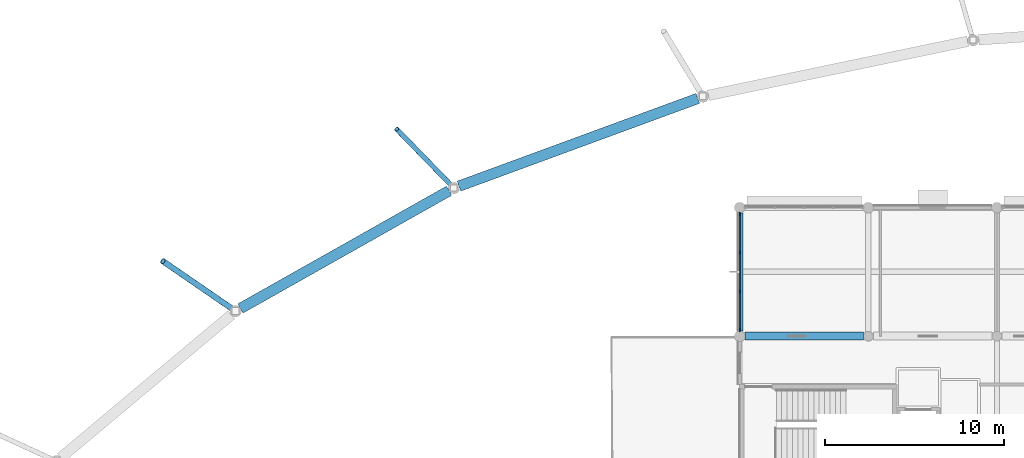
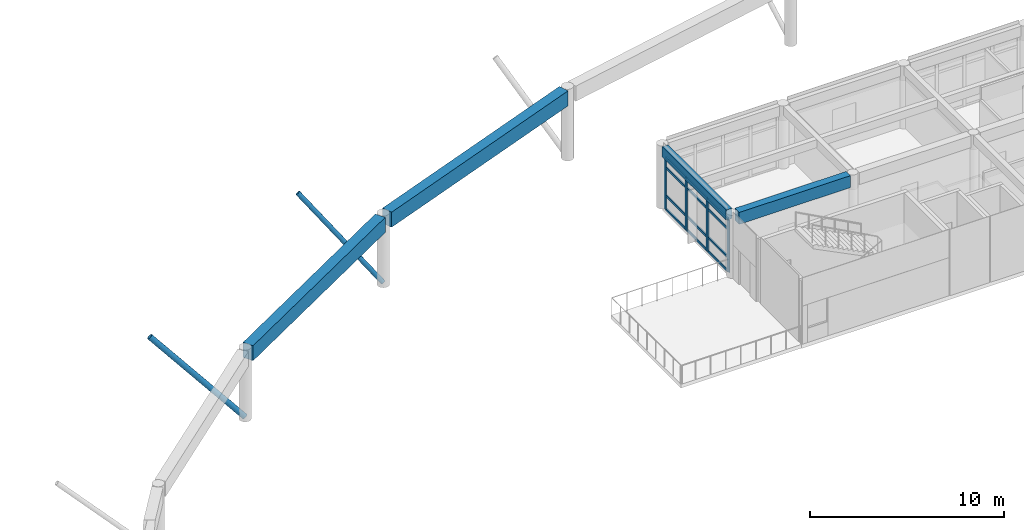
# One storey, part 5 of 37: 18 members, 4 beams, 1 element without a shape of its own.
"""IFC4 building model written with IfcOpenShell, lengths in metres."""

from ifc_helpers import new_model, si_unit, direction, frame, origin, origin_2d, place, context, subcontext, project, spatial, rectangle, hollow_circle, extrude, material, layer, layer_set, material_profile, profile_set, type_object, element, aggregate, save


model = new_model("IFC4")

# Units and contexts
model_context = context("Model", 3, precision=1e-05, world=origin(), true_north=direction((0.0, 1.0)))
body_context = subcontext(model_context, "Body", "Model", "MODEL_VIEW")
ifc_project = project(units=[si_unit("LENGTHUNIT", "METRE"), si_unit("AREAUNIT", "SQUARE_METRE"), si_unit("VOLUMEUNIT", "CUBIC_METRE"), si_unit("PLANEANGLEUNIT", "RADIAN"), si_unit("MASSUNIT", "GRAM", prefix="KILO")], contexts=[model_context])

# Site, building, storey
site_placement = place(None, origin())
site = spatial("IfcSite", under=ifc_project, at=site_placement, CompositionType="ELEMENT")
building_placement = place(site_placement, origin())
building = spatial("IfcBuilding", under=site, at=building_placement, Name="Namkhue Oval Health Centre", CompositionType="ELEMENT")
storey_placement = place(building_placement, frame((0.0, 0.0, 22.199951171875)))
storey = spatial("IfcBuildingStorey", under=building, at=storey_placement, Name="L05", CompositionType="ELEMENT", Elevation=22.199951171875)

# Members
ifc_material_1 = material(Name="Structural steel EN 10025-2 S355JR (TCVN 5575:2024)", Category="steel")
ifc_material_profile_1 = material_profile(ifc_material_1, hollow_circle(Radius=0.136474609375, WallThickness=0.012451171875, at=origin_2d()), Name="CHS 273x12.5")
ifc_profile_set_1 = profile_set([ifc_material_profile_1], Name="Structural steel EN 10025-2 S355JR (TCVN 5575:2024)")
member_type_1 = type_object("IfcMemberType", Name="CANOPY STRUT CHS 273", PredefinedType="STRUT", material=ifc_profile_set_1)
member_1_placement = place(storey_placement, frame((41.589111328125, 105.506591796875, 0.114501953125), z_axis=(-0.482810025098, 0.496775604336, 0.721185467547), x_axis=(-0.717114859739, -0.696955004244, 0.0)))
element("IfcMember", 1, at=member_1_placement, inside=storey, type_object=member_type_1, Name="Outer Overhang Tree-Branch Canopy Strut 12", PredefinedType="STRUT", context=body_context, shape_type="SweptSolid", body=[
    extrude(hollow_circle(Radius=0.136474609375, WallThickness=0.012451171875, at=origin_2d()), origin(), (0.0, 0.0, 1.0), 6.608154296875),
])
ifc_material_profile_2 = material_profile(ifc_material_1, hollow_circle(Radius=0.161865234375, WallThickness=0.012451171875, at=origin_2d()), Name="CHS 323.9x12.5")
ifc_profile_set_2 = profile_set([ifc_material_profile_2], Name="Structural steel EN 10025-2 S355JR (TCVN 5575:2024)")
member_type_2 = type_object("IfcMemberType", Name="CANOPY STRUT CHS 324", PredefinedType="STRUT", material=ifc_profile_set_2)
member_2_placement = place(storey_placement, frame((29.3671875, 98.610107421875, 0.114013671875), z_axis=(-0.59236667403, 0.407232057963, 0.695171758967), x_axis=(-0.566509901284, -0.824054932482, 0.0)))
element("IfcMember", 2, at=member_2_placement, inside=storey, type_object=member_type_2, Name="Outer Overhang Tree-Branch Canopy Strut 13", PredefinedType="STRUT", context=body_context, shape_type="SweptSolid", body=[
    extrude(hollow_circle(Radius=0.161865234375, WallThickness=0.012451171875, at=origin_2d()), origin(), (0.0, 0.0, 1.0), 6.85595703125),
])

# Curtain wall, members
ifc_material_2 = material(Name="Anodised aluminium EN AW-6063 T6", Category="aluminium")
ifc_layer = layer(ifc_material_2, 0.159912109375)
ifc_layer_set = layer_set([ifc_layer], Name="Anodised aluminium EN AW-6063 T6")
curtain_wall_type = type_object("IfcCurtainWallType", Name="UNITISED CURTAIN WALL M2000", PredefinedType="NOTDEFINED", material=ifc_layer_set)
curtain_wall_placement = place(storey_placement, origin())
curtain_wall = element("IfcCurtainWall", 3, at=curtain_wall_placement, inside=storey, type_object=curtain_wall_type, Name="Volume V2 L05 Unitised Curtain Wall 90", PredefinedType="NOTDEFINED")
ifc_material_profile_3 = material_profile(ifc_material_2, rectangle(XDim=0.074951171875, YDim=0.199951171875, at=origin_2d()), Name="ALU 75x200")
ifc_profile_set_3 = profile_set([ifc_material_profile_3], Name="Anodised aluminium EN AW-6063 T6")
member_type_3 = type_object("IfcMemberType", Name="CURTAIN WALL MULLION 75X200", PredefinedType="MULLION", material=ifc_profile_set_3)
member_3_placement = place(storey_placement, frame((57.60009765625, 104.052490234375, 0.0), z_axis=(0.0, 0.0, 1.0), x_axis=(1.0, 0.0, 0.0)))
member_3 = element("IfcMember", 4, at=member_3_placement, type_object=member_type_3, Name="CW-06 mullion 1", PredefinedType="MULLION", context=body_context, shape_type="SweptSolid", body=[
    extrude(rectangle(XDim=0.074951171875, YDim=0.199951171875, at=origin_2d()), origin(), (0.0, 0.0, 1.0), 3.324951171875),
])
member_4_placement = place(storey_placement, frame((57.60009765625, 101.896728515625, 0.0), z_axis=(0.0, 0.0, 1.0), x_axis=(1.0, 0.0, 0.0)))
member_4 = element("IfcMember", 5, at=member_4_placement, type_object=member_type_3, Name="CW-06 mullion 2", PredefinedType="MULLION", context=body_context, shape_type="SweptSolid", body=[
    extrude(rectangle(XDim=0.074951171875, YDim=0.199951171875, at=origin_2d()), origin(), (0.0, 0.0, 1.0), 3.324951171875),
])
member_5_placement = place(storey_placement, frame((57.60009765625, 99.703369140625, 0.0), z_axis=(0.0, 0.0, 1.0), x_axis=(1.0, 0.0, 0.0)))
member_5 = element("IfcMember", 6, at=member_5_placement, type_object=member_type_3, Name="CW-06 mullion 3", PredefinedType="MULLION", context=body_context, shape_type="SweptSolid", body=[
    extrude(rectangle(XDim=0.074951171875, YDim=0.199951171875, at=origin_2d()), origin(), (0.0, 0.0, 1.0), 3.324951171875),
])
member_6_placement = place(storey_placement, frame((57.60009765625, 97.547607421875, 0.0), z_axis=(0.0, 0.0, 1.0), x_axis=(1.0, 0.0, 0.0)))
member_6 = element("IfcMember", 7, at=member_6_placement, type_object=member_type_3, Name="CW-06 mullion 4", PredefinedType="MULLION", context=body_context, shape_type="SweptSolid", body=[
    extrude(rectangle(XDim=0.074951171875, YDim=0.199951171875, at=origin_2d()), origin(), (0.0, 0.0, 1.0), 3.324951171875),
])
ifc_material_profile_4 = material_profile(ifc_material_2, rectangle(XDim=0.074951171875, YDim=0.14990234375, at=origin_2d()), Name="ALU 75x150")
ifc_profile_set_4 = profile_set([ifc_material_profile_4], Name="Anodised aluminium EN AW-6063 T6")
member_type_4 = type_object("IfcMemberType", Name="CURTAIN WALL TRANSOM 75X150", PredefinedType="USERDEFINED", material=ifc_profile_set_4)
member_7_placement = place(storey_placement, frame((57.60009765625, 104.014892578125, 0.03759765625), z_axis=(0.0, -1.0, 0.0), x_axis=(1.0, 0.0, 0.0)))
member_7 = element("IfcMember", 8, at=member_7_placement, type_object=member_type_4, Name="CW-06 transom 1.1", ObjectType="TRANSOM", PredefinedType="USERDEFINED", context=body_context, shape_type="SweptSolid", body=[
    extrude(rectangle(XDim=0.074951171875, YDim=0.14990234375, at=origin_2d()), origin(), (0.0, 0.0, 1.0), 2.080810546875),
])
member_8_placement = place(storey_placement, frame((57.60009765625, 104.014892578125, 0.900146484375), z_axis=(0.0, -1.0, 0.0), x_axis=(1.0, 0.0, 0.0)))
member_8 = element("IfcMember", 9, at=member_8_placement, type_object=member_type_4, Name="CW-06 transom 1.2", ObjectType="TRANSOM", PredefinedType="USERDEFINED", context=body_context, shape_type="SweptSolid", body=[
    extrude(rectangle(XDim=0.074951171875, YDim=0.14990234375, at=origin_2d()), origin(), (0.0, 0.0, 1.0), 2.080810546875),
])
member_9_placement = place(storey_placement, frame((57.60009765625, 104.014892578125, 2.675048828125), z_axis=(0.0, -1.0, 0.0), x_axis=(1.0, 0.0, 0.0)))
member_9 = element("IfcMember", 10, at=member_9_placement, type_object=member_type_4, Name="CW-06 transom 1.3", ObjectType="TRANSOM", PredefinedType="USERDEFINED", context=body_context, shape_type="SweptSolid", body=[
    extrude(rectangle(XDim=0.074951171875, YDim=0.14990234375, at=origin_2d()), origin(), (0.0, 0.0, 1.0), 2.080810546875),
])
member_10_placement = place(storey_placement, frame((57.60009765625, 104.014892578125, 3.28759765625), z_axis=(0.0, -1.0, 0.0), x_axis=(1.0, 0.0, 0.0)))
member_10 = element("IfcMember", 11, at=member_10_placement, type_object=member_type_4, Name="CW-06 transom 1.4", ObjectType="TRANSOM", PredefinedType="USERDEFINED", context=body_context, shape_type="SweptSolid", body=[
    extrude(rectangle(XDim=0.074951171875, YDim=0.14990234375, at=origin_2d()), origin(), (0.0, 0.0, 1.0), 2.080810546875),
])
member_11_placement = place(storey_placement, frame((57.60009765625, 101.859130859375, 0.03759765625), z_axis=(0.0, -1.0, 0.0), x_axis=(1.0, 0.0, 0.0)))
member_11 = element("IfcMember", 12, at=member_11_placement, type_object=member_type_4, Name="CW-06 transom 2.1", ObjectType="TRANSOM", PredefinedType="USERDEFINED", context=body_context, shape_type="SweptSolid", body=[
    extrude(rectangle(XDim=0.074951171875, YDim=0.14990234375, at=origin_2d()), origin(), (0.0, 0.0, 1.0), 2.118408203125),
])
member_12_placement = place(storey_placement, frame((57.60009765625, 101.859130859375, 0.900146484375), z_axis=(0.0, -1.0, 0.0), x_axis=(1.0, 0.0, 0.0)))
member_12 = element("IfcMember", 13, at=member_12_placement, type_object=member_type_4, Name="CW-06 transom 2.2", ObjectType="TRANSOM", PredefinedType="USERDEFINED", context=body_context, shape_type="SweptSolid", body=[
    extrude(rectangle(XDim=0.074951171875, YDim=0.14990234375, at=origin_2d()), origin(), (0.0, 0.0, 1.0), 2.118408203125),
])
member_13_placement = place(storey_placement, frame((57.60009765625, 101.859130859375, 2.675048828125), z_axis=(0.0, -1.0, 0.0), x_axis=(1.0, 0.0, 0.0)))
member_13 = element("IfcMember", 14, at=member_13_placement, type_object=member_type_4, Name="CW-06 transom 2.3", ObjectType="TRANSOM", PredefinedType="USERDEFINED", context=body_context, shape_type="SweptSolid", body=[
    extrude(rectangle(XDim=0.074951171875, YDim=0.14990234375, at=origin_2d()), origin(), (0.0, 0.0, 1.0), 2.118408203125),
])
member_14_placement = place(storey_placement, frame((57.60009765625, 101.859130859375, 3.28759765625), z_axis=(0.0, -1.0, 0.0), x_axis=(1.0, 0.0, 0.0)))
member_14 = element("IfcMember", 15, at=member_14_placement, type_object=member_type_4, Name="CW-06 transom 2.4", ObjectType="TRANSOM", PredefinedType="USERDEFINED", context=body_context, shape_type="SweptSolid", body=[
    extrude(rectangle(XDim=0.074951171875, YDim=0.14990234375, at=origin_2d()), origin(), (0.0, 0.0, 1.0), 2.118408203125),
])
member_15_placement = place(storey_placement, frame((57.60009765625, 99.665771484375, 0.03759765625), z_axis=(0.0, -1.0, 0.0), x_axis=(1.0, 0.0, 0.0)))
member_15 = element("IfcMember", 16, at=member_15_placement, type_object=member_type_4, Name="CW-06 transom 3.1", ObjectType="TRANSOM", PredefinedType="USERDEFINED", context=body_context, shape_type="SweptSolid", body=[
    extrude(rectangle(XDim=0.074951171875, YDim=0.14990234375, at=origin_2d()), origin(), (0.0, 0.0, 1.0), 2.080810546875),
])
member_16_placement = place(storey_placement, frame((57.60009765625, 99.665771484375, 0.900146484375), z_axis=(0.0, -1.0, 0.0), x_axis=(1.0, 0.0, 0.0)))
member_16 = element("IfcMember", 17, at=member_16_placement, type_object=member_type_4, Name="CW-06 transom 3.2", ObjectType="TRANSOM", PredefinedType="USERDEFINED", context=body_context, shape_type="SweptSolid", body=[
    extrude(rectangle(XDim=0.074951171875, YDim=0.14990234375, at=origin_2d()), origin(), (0.0, 0.0, 1.0), 2.080810546875),
])
member_17_placement = place(storey_placement, frame((57.60009765625, 99.665771484375, 2.675048828125), z_axis=(0.0, -1.0, 0.0), x_axis=(1.0, 0.0, 0.0)))
member_17 = element("IfcMember", 18, at=member_17_placement, type_object=member_type_4, Name="CW-06 transom 3.3", ObjectType="TRANSOM", PredefinedType="USERDEFINED", context=body_context, shape_type="SweptSolid", body=[
    extrude(rectangle(XDim=0.074951171875, YDim=0.14990234375, at=origin_2d()), origin(), (0.0, 0.0, 1.0), 2.080810546875),
])
member_18_placement = place(storey_placement, frame((57.60009765625, 99.665771484375, 3.28759765625), z_axis=(0.0, -1.0, 0.0), x_axis=(1.0, 0.0, 0.0)))
member_18 = element("IfcMember", 19, at=member_18_placement, type_object=member_type_4, Name="CW-06 transom 3.4", ObjectType="TRANSOM", PredefinedType="USERDEFINED", context=body_context, shape_type="SweptSolid", body=[
    extrude(rectangle(XDim=0.074951171875, YDim=0.14990234375, at=origin_2d()), origin(), (0.0, 0.0, 1.0), 2.080810546875),
])
aggregate(curtain_wall, [member_3, member_4, member_5, member_6, member_7, member_8, member_9, member_10, member_11, member_12, member_13, member_14, member_15, member_16, member_17, member_18])

# Beams
ifc_material_3 = material(Name="Reinforced concrete C35/45 (TCVN B40)", Category="concrete")
ifc_material_profile_5 = material_profile(ifc_material_3, rectangle(XDim=0.35009765625, YDim=0.64990234375, at=origin_2d()), Name="RC 350x650")
ifc_profile_set_5 = profile_set([ifc_material_profile_5], Name="Reinforced concrete C35/45 (TCVN B40)")
beam_type_1 = type_object("IfcBeamType", Name="PERIMETER SPANDREL BEAM 350X650", PredefinedType="SPANDREL", material=ifc_profile_set_5)
beam_1_placement = place(storey_placement, frame((57.60009765625, 97.5, 3.650146484375), z_axis=(0.0, 1.0, 0.0), x_axis=(-1.0, 0.0, 0.0)))
element("IfcBeam", 20, at=beam_1_placement, inside=storey, type_object=beam_type_1, Name="Volume V2 RF Beam 9/O-P", PredefinedType="SPANDREL", context=body_context, shape_type="SweptSolid", body=[
    extrude(rectangle(XDim=0.35009765625, YDim=0.64990234375, at=origin_2d()), origin(), (0.0, 0.0, 1.0), 6.60009765625),
])
ifc_material_profile_6 = material_profile(ifc_material_3, rectangle(XDim=0.449951171875, YDim=0.75, at=origin_2d()), Name="RC 450x750")
ifc_profile_set_6 = profile_set([ifc_material_profile_6], Name="Reinforced concrete C35/45 (TCVN B40)")
beam_type_2 = type_object("IfcBeamType", Name="PRIMARY GIRDER RC 450X750", PredefinedType="USERDEFINED", material=ifc_profile_set_6)
beam_2_placement = place(storey_placement, frame((57.89990234375, 97.199951171875, 3.60009765625), z_axis=(1.0, 0.0, 0.0), x_axis=(0.0, 1.0, 0.0)))
element("IfcBeam", 21, at=beam_2_placement, inside=storey, type_object=beam_type_2, Name="Volume V2 RF Girder O/9-10", ObjectType="GIRDER", PredefinedType="USERDEFINED", context=body_context, shape_type="SweptSolid", body=[
    extrude(rectangle(XDim=0.449951171875, YDim=0.75, at=origin_2d()), origin(), (0.0, 0.0, 1.0), 6.625),
])
ifc_material_profile_7 = material_profile(ifc_material_3, rectangle(XDim=0.60009765625, YDim=0.949951171875, at=origin_2d()), Name="RC 600x950")
ifc_profile_set_7 = profile_set([ifc_material_profile_7], Name="Reinforced concrete C35/45 (TCVN B40)")
beam_type_3 = type_object("IfcBeamType", Name="RING GIRDER RC 600X950", PredefinedType="USERDEFINED", material=ifc_profile_set_7)
beam_3_placement = place(storey_placement, frame((55.254150390625, 110.5146484375, 4.025146484375), z_axis=(-0.938630464812, -0.344924412772, 0.0), x_axis=(0.344924412772, -0.938630464812, 0.0)))
element("IfcBeam", 22, at=beam_3_placement, inside=storey, type_object=beam_type_3, Name="Gridshell OR Concrete Ring Girder 11", ObjectType="GIRDER", PredefinedType="USERDEFINED", context=body_context, shape_type="SweptSolid", body=[
    extrude(rectangle(XDim=0.60009765625, YDim=0.949951171875, at=origin_2d()), origin(), (0.0, 0.0, 1.0), 14.2431640625),
])
beam_4_placement = place(storey_placement, frame((41.333251953125, 105.3466796875, 4.025146484375), z_axis=(-0.870943734292, -0.491382754782, 0.0), x_axis=(0.491382754782, -0.870943734292, 0.0)))
element("IfcBeam", 23, at=beam_4_placement, inside=storey, type_object=beam_type_3, Name="Gridshell OR Concrete Ring Girder 12", ObjectType="GIRDER", PredefinedType="USERDEFINED", context=body_context, shape_type="SweptSolid", body=[
    extrude(rectangle(XDim=0.60009765625, YDim=0.949951171875, at=origin_2d()), origin(), (0.0, 0.0, 1.0), 13.420654296875),
])

save(model, "model.ifc")
